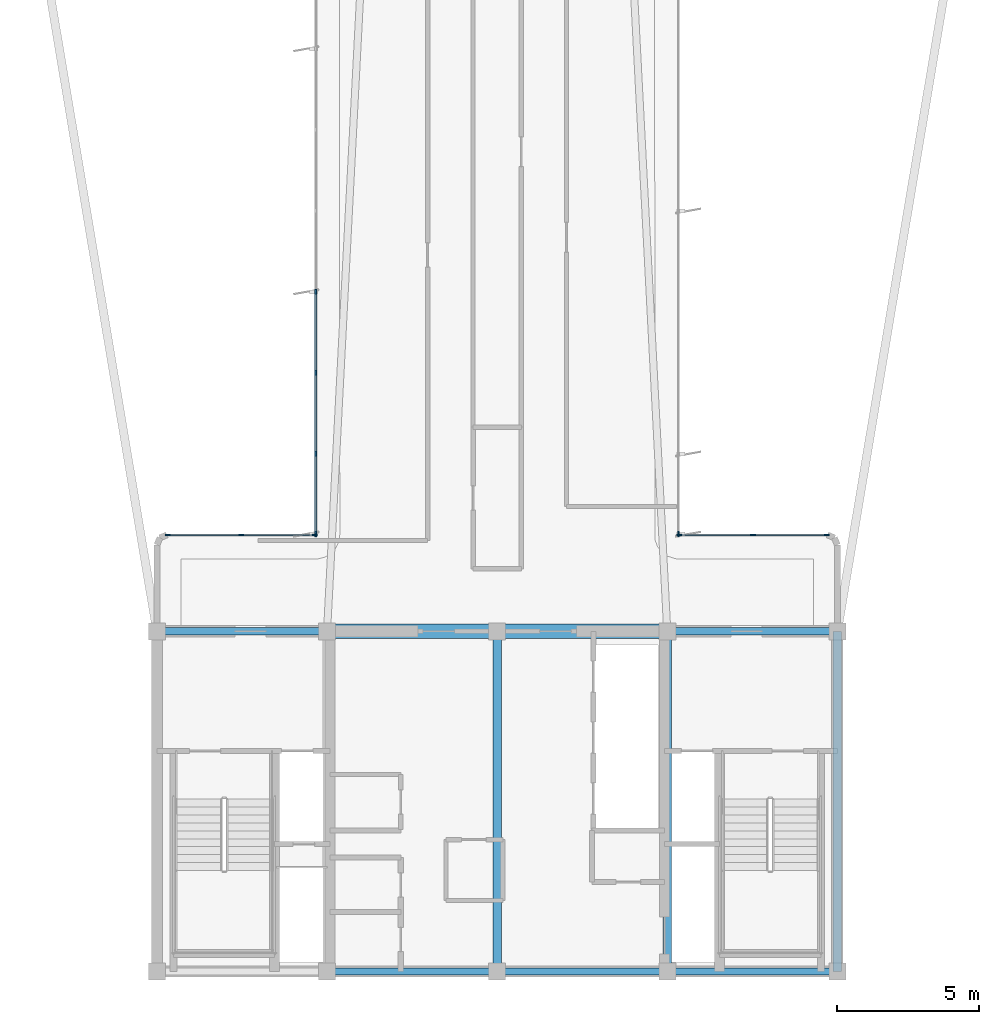
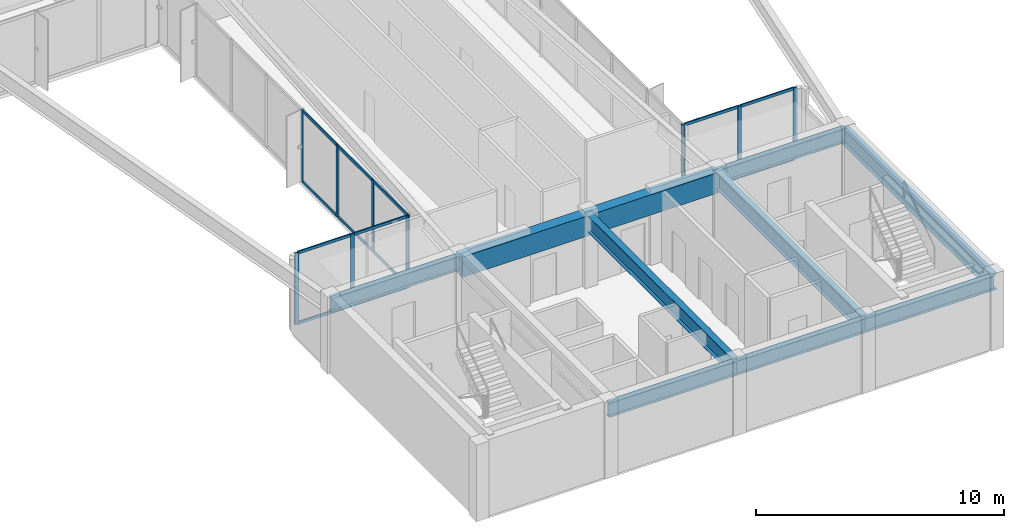
# One storey, part 2 of 15: 25 members, 9 beams, 4 elements without a shape of their own.
"""IFC4 building model written with IfcOpenShell, lengths in metres."""

import ifcopenshell
import ifcopenshell.guid

model = None  # the IFC model being written
_history = None  # IfcOwnerHistory: only IFC2X3 demands one
_inside = {}  # id of a spatial element -> (the spatial element, [elements in it])
_under = {}  # id of a project, library or spatial element -> (it, [spatial elements below it])
_declared = {}  # id of a project -> (the project, [libraries it declares])
_typed = {}  # id of a type object -> (the type object, [elements of that type])
_made_of = {}  # id of a material, layer set ... -> (it, [elements and type objects made of it])


def new_model(schema):
    """Start an empty IFC model of exactly this schema.

    Asked for "IFC4X3", IfcOpenShell would pick the latest addendum, in which some entities
    have other attributes; the version numbers below select the first issue.
    IFC2X3 requires an IfcOwnerHistory on every rooted entity: one is made here for all.
    """
    global model, _history
    if schema == "IFC4X3":
        model = ifcopenshell.file(schema_version=(4, 3, 0, 0))
    else:
        model = ifcopenshell.file(schema=schema)
    _inside.clear()
    _under.clear()
    _declared.clear()
    _typed.clear()
    _made_of.clear()
    _history = None
    if model.schema == "IFC2X3":
        org = make("IfcOrganization", Name="unknown")
        user = make(
            "IfcPersonAndOrganization",
            ThePerson=make("IfcPerson", FamilyName="unknown"),
            TheOrganization=org,
        )
        app = make(
            "IfcApplication",
            ApplicationDeveloper=org,
            Version="unknown",
            ApplicationFullName="unknown",
            ApplicationIdentifier="unknown",
        )
        _history = make(
            "IfcOwnerHistory",
            OwningUser=user,
            OwningApplication=app,
            ChangeAction="ADDED",
            CreationDate=0,
        )
    return model


def make(cls, **values):
    """One entity of the class cls with the attributes given. An attribute that is None is left unset."""
    return model.create_entity(
        cls, **{name: value for name, value in values.items() if value is not None}
    )


def rooted(cls, **values):
    """An entity with a GlobalId (a new one), such as an element, a storey or a relation."""
    return make(cls, GlobalId=ifcopenshell.guid.new(), OwnerHistory=_history, **values)


def si_unit(unit_type, name, prefix=None):
    """IfcSIUnit, for example si_unit("LENGTHUNIT", "METRE", prefix="MILLI")."""
    return make("IfcSIUnit", UnitType=unit_type, Prefix=prefix, Name=name)


def assignment(units):
    """IfcUnitAssignment: the units of a project."""
    return None if units is None else make("IfcUnitAssignment", Units=units)


def point(xyz):
    """IfcCartesianPoint."""
    return None if xyz is None else make("IfcCartesianPoint", Coordinates=xyz)


def direction(xyz):
    """IfcDirection."""
    return None if xyz is None else make("IfcDirection", DirectionRatios=xyz)


def frame(location, z_axis=None, x_axis=None):
    """IfcAxis2Placement3D, a coordinate frame: its origin and axes. An axis left out is left unset."""
    return make(
        "IfcAxis2Placement3D",
        Location=point(location),
        Axis=direction(z_axis),
        RefDirection=direction(x_axis),
    )


def frame_2d(location, x_axis=None):
    """IfcAxis2Placement2D, a coordinate frame in the plane: its origin and x axis."""
    return make(
        "IfcAxis2Placement2D", Location=point(location), RefDirection=direction(x_axis)
    )


def origin():
    """The frame at (0, 0, 0) with its axes left unset."""
    return frame((0.0, 0.0, 0.0))


def origin_2d():
    """The frame at (0, 0) in the plane with its x axis left unset."""
    return frame_2d((0.0, 0.0))


def place(relative_to, where):
    """IfcLocalPlacement: puts the frame where relative to a parent placement (None: the world)."""
    return make(
        "IfcLocalPlacement", PlacementRelTo=relative_to, RelativePlacement=where
    )


def context(
    kind, dimensions, precision=None, world=None, true_north=None, identifier=None
):
    """IfcGeometricRepresentationContext, for example the 3D "Model" context."""
    return make(
        "IfcGeometricRepresentationContext",
        ContextIdentifier=identifier,
        ContextType=kind,
        CoordinateSpaceDimension=dimensions,
        Precision=precision,
        WorldCoordinateSystem=world,
        TrueNorth=true_north,
    )


def subcontext(parent, identifier, kind, view, scale=None):
    """IfcGeometricRepresentationSubContext, for example "Body" below "Model"."""
    return make(
        "IfcGeometricRepresentationSubContext",
        ContextIdentifier=identifier,
        ContextType=kind,
        ParentContext=parent,
        TargetScale=scale,
        TargetView=view,
    )


def project(units=None, contexts=None):
    """IfcProject with its units and contexts."""
    return rooted(
        "IfcProject",
        Name="project",
        RepresentationContexts=contexts,
        UnitsInContext=assignment(units),
    )


def spatial(cls, under=None, at=None, **own):
    """A site, building, storey or space (cls), placed at a placement, below another one or the project."""
    s = rooted(cls, ObjectPlacement=at, **own)
    if under is not None:
        _under.setdefault(under.id(), (under, []))[1].append(s)
    return s


def profile(cls, at=None, kind="AREA", **sizes):
    """A parametric profile (cls). Its sizes go by their IFC names, for example OverallWidth=200.0."""
    return make(cls, ProfileType=kind, Position=at, **sizes)


def rectangle(**sizes):
    """IfcRectangleProfileDef."""
    return profile("IfcRectangleProfileDef", **sizes)


def i_section(**sizes):
    """IfcIShapeProfileDef."""
    return profile("IfcIShapeProfileDef", **sizes)


def extrude(swept, where, along, depth):
    """IfcExtrudedAreaSolid: the profile swept, set in the frame where, extruded along a direction by depth."""
    return make(
        "IfcExtrudedAreaSolid",
        SweptArea=swept,
        Position=where,
        ExtrudedDirection=direction(along),
        Depth=depth,
    )


def shape(context_of_items, identifier, shape_type, items):
    """IfcShapeRepresentation: the items that make up one representation, for example the "Body"."""
    return make(
        "IfcShapeRepresentation",
        ContextOfItems=context_of_items,
        RepresentationIdentifier=identifier,
        RepresentationType=shape_type,
        Items=items,
    )


def source(mapping_origin, context_of_items, identifier, shape_type, items):
    """IfcRepresentationMap: a shape defined once, which mapped items show again and again."""
    return make(
        "IfcRepresentationMap",
        MappingOrigin=mapping_origin,
        MappedRepresentation=shape(context_of_items, identifier, shape_type, items),
    )


def transform(
    local_origin,
    x_axis=None,
    y_axis=None,
    z_axis=None,
    scale=None,
    scale2=None,
    scale3=None,
    uniform=True,
):
    """IfcCartesianTransformationOperator3D, or its non-uniform kind. x_axis, y_axis, z_axis: its Axis1, 2, 3."""
    if uniform:
        return make(
            "IfcCartesianTransformationOperator3D",
            Axis1=direction(x_axis),
            Axis2=direction(y_axis),
            LocalOrigin=point(local_origin),
            Scale=scale,
            Axis3=direction(z_axis),
        )
    return make(
        "IfcCartesianTransformationOperator3DnonUniform",
        Axis1=direction(x_axis),
        Axis2=direction(y_axis),
        LocalOrigin=point(local_origin),
        Scale=scale,
        Axis3=direction(z_axis),
        Scale2=scale2,
        Scale3=scale3,
    )


def mapped(mapping_source, mapping_target):
    """IfcMappedItem: shows the shape of a source again, moved by a transform."""
    return make(
        "IfcMappedItem", MappingSource=mapping_source, MappingTarget=mapping_target
    )


def material(Name=None, Category=None):
    """IfcMaterial."""
    return make("IfcMaterial", Name=Name, Category=Category)


def layer(
    of_material, thickness, ventilated=None, Name=None, Category=None, Priority=None
):
    """IfcMaterialLayer: one layer of a wall or slab, of a material (None: an air gap)."""
    return make(
        "IfcMaterialLayer",
        Material=of_material,
        LayerThickness=thickness,
        IsVentilated=ventilated,
        Name=Name,
        Category=Category,
        Priority=Priority,
    )


def layer_set(layers, Name=None):
    """IfcMaterialLayerSet."""
    return make("IfcMaterialLayerSet", MaterialLayers=layers, LayerSetName=Name)


def material_profile(
    of_material, cross_section, Name=None, Category=None, Priority=None
):
    """IfcMaterialProfile: a cross section and its material."""
    return make(
        "IfcMaterialProfile",
        Name=Name,
        Material=of_material,
        Profile=cross_section,
        Priority=Priority,
        Category=Category,
    )


def profile_set(profiles, Name=None, composite=None):
    """IfcMaterialProfileSet."""
    return make(
        "IfcMaterialProfileSet",
        Name=Name,
        MaterialProfiles=profiles,
        CompositeProfile=composite,
    )


def made_of(thing, what):
    """Note that an element or type object is made of a material, layer set ...; save() writes the relation."""
    if what is not None:
        _made_of.setdefault(what.id(), (what, []))[1].append(thing)
    return thing


def type_object(cls, material=None, **own):
    """A type object (cls), such as IfcWallType, which elements share."""
    return made_of(rooted(cls, **own), material)


def element(
    cls,
    number,
    at=None,
    inside=None,
    cuts=None,
    type_object=None,
    material=None,
    context=None,
    identifier="Body",
    shape_type=None,
    held_by="IfcProductDefinitionShape",
    body=None,
    shapes=None,
    **own,
):
    """One element of the class cls, such as IfcWall. Its Tag is "e" and its number.

    at: its placement. inside: the storey or other place that contains it. cuts: it is an
    opening in that element (IfcRelVoidsElement). A single representation is given by context,
    identifier, shape_type and body (its items); several are given by shapes. held_by: the class
    of the entity that holds the representations. save() writes the other relations.
    """
    e = rooted(cls, Tag="e%d" % number, ObjectPlacement=at, **own)
    if body is not None:
        shapes = [shape(context, identifier, shape_type, body)]
    if shapes is not None:
        e.Representation = make(held_by, Representations=shapes)
    if inside is not None:
        _inside.setdefault(inside.id(), (inside, []))[1].append(e)
    if cuts is not None:
        rooted(
            "IfcRelVoidsElement", RelatingBuildingElement=cuts, RelatedOpeningElement=e
        )
    if type_object is not None:
        _typed.setdefault(type_object.id(), (type_object, []))[1].append(e)
    return made_of(e, material)


def aggregate(whole, parts):
    """IfcRelAggregates: a whole, such as a stair, and the parts it consists of."""
    return rooted("IfcRelAggregates", RelatingObject=whole, RelatedObjects=parts)


def save(model, path):
    """Write the relations noted so far, then the file.

    IfcRelAggregates (storeys below a building ...), IfcRelContainedInSpatialStructure (elements
    in a storey), IfcRelDefinesByType, IfcRelAssociatesMaterial and IfcRelDeclares: one each for
    every whole, place, type object, material and project.
    """
    for whole, parts in _under.values():
        aggregate(whole, parts)
    for where, things in _inside.values():
        rooted(
            "IfcRelContainedInSpatialStructure",
            RelatedElements=things,
            RelatingStructure=where,
        )
    for kind, things in _typed.values():
        rooted("IfcRelDefinesByType", RelatedObjects=things, RelatingType=kind)
    for what, things in _made_of.values():
        rooted("IfcRelAssociatesMaterial", RelatedObjects=things, RelatingMaterial=what)
    for by, libraries in _declared.values():
        rooted("IfcRelDeclares", RelatingContext=by, RelatedDefinitions=libraries)
    model.write(path)


model = new_model("IFC4")

# Units and contexts
model_context = context("Model", 3, precision=1e-05, world=origin(), true_north=direction((0.0, 1.0)))
body_context = subcontext(model_context, "Body", "Model", "MODEL_VIEW")
ifc_project = project(units=[si_unit("LENGTHUNIT", "METRE"), si_unit("AREAUNIT", "SQUARE_METRE"), si_unit("VOLUMEUNIT", "CUBIC_METRE"), si_unit("PLANEANGLEUNIT", "RADIAN"), si_unit("MASSUNIT", "GRAM", prefix="KILO")], contexts=[model_context])

# Site, building, storey
site_placement = place(None, origin())
site = spatial("IfcSite", under=ifc_project, at=site_placement, CompositionType="ELEMENT")
building_placement = place(site_placement, origin())
building = spatial("IfcBuilding", under=site, at=building_placement, Name="Brelvock Crest Care Tower", CompositionType="ELEMENT")
storey_placement = place(building_placement, frame((0.0, 0.0, 264.60009765625)))
storey = spatial("IfcBuildingStorey", under=building, at=storey_placement, Name="L67", CompositionType="ELEMENT", Elevation=264.60009765625)

# Beams
ifc_material_1 = material(Name="Steel Grade 350", Category="steel")
ifc_material_profile_1 = material_profile(ifc_material_1, i_section(OverallWidth=0.25, OverallDepth=0.699951171875, WebThickness=0.011962890625, FlangeThickness=0.02001953125, at=origin_2d()), Name="700WB150")
ifc_profile_set_1 = profile_set([ifc_material_profile_1], Name="Steel Grade 350")
beam_type_1 = type_object("IfcBeamType", Name="BM-G4", PredefinedType="BEAM", material=ifc_profile_set_1)
shared_shape_1 = source(origin(), body_context, "Body", "SweptSolid", [
    extrude(i_section(OverallWidth=0.25, OverallDepth=0.699951171875, WebThickness=0.011962890625, FlangeThickness=0.02001953125, at=origin_2d()), origin(), (0.0, 0.0, 1.0), 6.0),
])
for number, where, z_axis, x_axis, name in (
    (1, (24.0, 18.0, 3.179931640625), (1.0, 0.0, 0.0), (0.0, 1.0, 0.0), "BM-COREN-L67-1"),
    (2, (30.0, 6.0, 3.179931640625), (1.0, 0.0, 0.0), (0.0, 1.0, 0.0), "BM-CORES-L67-2"),
    (3, (36.0, 6.0, 3.179931640625), (1.0, 0.0, 0.0), (0.0, 1.0, 0.0), "BM-CORES-L67-3"),
    (4, (42.0, 6.0, 3.179931640625), (1.0, 0.0, 0.0), (0.0, 1.0, 0.0), "BM-CORES-L67-4"),
    (5, (42.0, 18.0, 3.179931640625), (1.0, 0.0, 0.0), (0.0, 1.0, 0.0), "BM-COREN-L67-4"),
):
    element("IfcBeam", number, at=place(storey_placement, frame(where, z_axis=z_axis, x_axis=x_axis)), inside=storey, type_object=beam_type_1, Name=name, PredefinedType="BEAM", context=body_context, shape_type="MappedRepresentation", body=[
        mapped(shared_shape_1, transform((0.0, 0.0, 0.0), x_axis=(1.0, 0.0, 0.0), y_axis=(0.0, 1.0, 0.0), z_axis=(0.0, 0.0, 1.0), scale=1.0)),
    ])
ifc_material_profile_2 = material_profile(ifc_material_1, i_section(OverallWidth=0.300048828125, OverallDepth=0.800048828125, WebThickness=0.013916015625, FlangeThickness=0.02197265625, at=origin_2d()), Name="800WB192")
ifc_profile_set_2 = profile_set([ifc_material_profile_2], Name="Steel Grade 350")
beam_type_2 = type_object("IfcBeamType", Name="BM-G5", PredefinedType="BEAM", material=ifc_profile_set_2)
shared_shape_2 = source(origin(), body_context, "Body", "SweptSolid", [
    extrude(i_section(OverallWidth=0.300048828125, OverallDepth=0.800048828125, WebThickness=0.013916015625, FlangeThickness=0.02197265625, at=origin_2d()), origin(), (0.0, 0.0, 1.0), 12.0),
])
for number, where, z_axis, x_axis, name in (
    (6, (36.0, 6.0, 3.1298828125), (0.0, 1.0, 0.0), (-1.0, 0.0, 0.0), "BM-COREX-L67-3"),
    (7, (42.0, 6.0, 3.1298828125), (0.0, 1.0, 0.0), (-1.0, 0.0, 0.0), "BM-COREX-L67-4"),
    (8, (48.0, 6.0, 3.1298828125), (0.0, 1.0, 0.0), (-1.0, 0.0, 0.0), "BM-COREX-L67-5"),
):
    element("IfcBeam", number, at=place(storey_placement, frame(where, z_axis=z_axis, x_axis=x_axis)), inside=storey, type_object=beam_type_2, Name=name, PredefinedType="BEAM", context=body_context, shape_type="MappedRepresentation", body=[
        mapped(shared_shape_2, transform((0.0, 0.0, 0.0), x_axis=(1.0, 0.0, 0.0), y_axis=(0.0, 1.0, 0.0), z_axis=(0.0, 0.0, 1.0), scale=1.0)),
    ])
ifc_material_2 = material(Name="Concrete S65 (65 MPa)", Category="concrete")
ifc_material_profile_3 = material_profile(ifc_material_2, rectangle(XDim=0.5, YDim=1.0, at=origin_2d()), Name="RC500x1000")
ifc_profile_set_3 = profile_set([ifc_material_profile_3], Name="Concrete S65 (65 MPa)")
beam_type_3 = type_object("IfcBeamType", Name="BM-LN2", PredefinedType="LINTEL", material=ifc_profile_set_3)
shared_shape_3 = source(origin(), body_context, "Body", "SweptSolid", [
    extrude(rectangle(XDim=0.5, YDim=1.0, at=origin_2d()), origin(), (0.0, 0.0, 1.0), 12.0),
])
beam_placement = place(storey_placement, frame((30.0, 18.0, 3.02978515625), z_axis=(1.0, 0.0, 0.0), x_axis=(0.0, 1.0, 0.0)))
element("IfcBeam", 9, at=beam_placement, inside=storey, type_object=beam_type_3, Name="L67 Core Coupling Lintel Beam", PredefinedType="LINTEL", context=body_context, shape_type="MappedRepresentation", body=[
    mapped(shared_shape_3, transform((0.0, 0.0, 0.0), x_axis=(1.0, 0.0, 0.0), y_axis=(0.0, 1.0, 0.0), z_axis=(0.0, 0.0, 1.0), scale=1.0)),
])

# Curtain wall, members
ifc_material_3 = material(Name="Dark Glass Double Glazed Low-E", Category="glass")
ifc_layer = layer(ifc_material_3, 0.239990234375, Name="CWS-5")
ifc_layer_set = layer_set([ifc_layer], Name="Dark Glass Double Glazed Low-E")
curtain_wall_type = type_object("IfcCurtainWallType", Name="CWS-5", PredefinedType="NOTDEFINED", material=ifc_layer_set)
curtain_wall_1_placement = place(storey_placement, origin())
curtain_wall_1 = element("IfcCurtainWall", 10, at=curtain_wall_1_placement, inside=storey, type_object=curtain_wall_type, Name="L67 Curtain Wall E10", PredefinedType="NOTDEFINED")
ifc_material_4 = material(Name="Aluminium 6063-T6", Category="aluminium")
ifc_material_profile_4 = material_profile(ifc_material_4, rectangle(XDim=0.06005859375, YDim=0.179931640625, at=origin_2d()), Name="ALU60x180")
ifc_profile_set_4 = profile_set([ifc_material_profile_4], Name="Aluminium 6063-T6")
member_type_1 = type_object("IfcMemberType", Name="CWM-2", PredefinedType="MULLION", material=ifc_profile_set_4)
shared_shape_4 = source(origin(), body_context, "Body", "SweptSolid", [
    extrude(rectangle(XDim=0.06005859375, YDim=0.179931640625, at=origin_2d()), origin(), (0.0, 0.0, 1.0), 3.52978515625),
])
member_1_placement = place(storey_placement, frame((24.3798828125, 21.39990234375, 0.0), z_axis=(0.0, 0.0, 1.0), x_axis=(0.0, 1.0, 0.0)))
member_1 = element("IfcMember", 11, at=member_1_placement, type_object=member_type_1, Name="CW-5 mullion 1", PredefinedType="MULLION", context=body_context, shape_type="MappedRepresentation", body=[
    mapped(shared_shape_4, transform((0.0, 0.0, 0.0), x_axis=(1.0, 0.0, 0.0), y_axis=(0.0, 1.0, 0.0), z_axis=(0.0, 0.0, 1.0), scale=1.0)),
])
member_2_placement = place(storey_placement, frame((26.97509765625, 21.39990234375, 0.0), z_axis=(0.0, 0.0, 1.0), x_axis=(0.0, 1.0, 0.0)))
member_2 = element("IfcMember", 12, at=member_2_placement, type_object=member_type_1, Name="CW-5 mullion 2", PredefinedType="MULLION", context=body_context, shape_type="MappedRepresentation", body=[
    mapped(shared_shape_4, transform((0.0, 0.0, 0.0), x_axis=(1.0, 0.0, 0.0), y_axis=(0.0, 1.0, 0.0), z_axis=(0.0, 0.0, 1.0), scale=1.0)),
])
member_3_placement = place(storey_placement, frame((29.570068359375, 21.39990234375, 0.0), z_axis=(0.0, 0.0, 1.0), x_axis=(0.0, 1.0, 0.0)))
member_3 = element("IfcMember", 13, at=member_3_placement, type_object=member_type_1, Name="CW-5 mullion 3", PredefinedType="MULLION", context=body_context, shape_type="MappedRepresentation", body=[
    mapped(shared_shape_4, transform((0.0, 0.0, 0.0), x_axis=(1.0, 0.0, 0.0), y_axis=(0.0, 1.0, 0.0), z_axis=(0.0, 0.0, 1.0), scale=1.0)),
])

curtain_wall_2_placement = place(storey_placement, origin())
curtain_wall_2 = element("IfcCurtainWall", 14, at=curtain_wall_2_placement, inside=storey, type_object=curtain_wall_type, Name="L67 Curtain Wall E11", PredefinedType="NOTDEFINED")
member_4_placement = place(storey_placement, frame((29.60009765625, 21.429931640625, 0.0), z_axis=(0.0, 0.0, 1.0), x_axis=(-1.0, 0.0, 0.0)))
member_4 = element("IfcMember", 15, at=member_4_placement, type_object=member_type_1, Name="CW-5 mullion 1", PredefinedType="MULLION", context=body_context, shape_type="MappedRepresentation", body=[
    mapped(shared_shape_4, transform((0.0, 0.0, 0.0), x_axis=(1.0, 0.0, 0.0), y_axis=(0.0, 1.0, 0.0), z_axis=(0.0, 0.0, 1.0), scale=1.0)),
])
member_5_placement = place(storey_placement, frame((29.60009765625, 24.257080078125, 0.0), z_axis=(0.0, 0.0, 1.0), x_axis=(-1.0, 0.0, 0.0)))
member_5 = element("IfcMember", 16, at=member_5_placement, type_object=member_type_1, Name="CW-5 mullion 2", PredefinedType="MULLION", context=body_context, shape_type="MappedRepresentation", body=[
    mapped(shared_shape_4, transform((0.0, 0.0, 0.0), x_axis=(1.0, 0.0, 0.0), y_axis=(0.0, 1.0, 0.0), z_axis=(0.0, 0.0, 1.0), scale=1.0)),
])
member_6_placement = place(storey_placement, frame((29.60009765625, 27.1142578125, 0.0), z_axis=(0.0, 0.0, 1.0), x_axis=(-1.0, 0.0, 0.0)))
member_6 = element("IfcMember", 17, at=member_6_placement, type_object=member_type_1, Name="CW-5 mullion 3", PredefinedType="MULLION", context=body_context, shape_type="MappedRepresentation", body=[
    mapped(shared_shape_4, transform((0.0, 0.0, 0.0), x_axis=(1.0, 0.0, 0.0), y_axis=(0.0, 1.0, 0.0), z_axis=(0.0, 0.0, 1.0), scale=1.0)),
])
member_7_placement = place(storey_placement, frame((29.60009765625, 29.971435546875, 0.0), z_axis=(0.0, 0.0, 1.0), x_axis=(-1.0, 0.0, 0.0)))
member_7 = element("IfcMember", 18, at=member_7_placement, type_object=member_type_1, Name="CW-5 mullion 4", PredefinedType="MULLION", context=body_context, shape_type="MappedRepresentation", body=[
    mapped(shared_shape_4, transform((0.0, 0.0, 0.0), x_axis=(1.0, 0.0, 0.0), y_axis=(0.0, 1.0, 0.0), z_axis=(0.0, 0.0, 1.0), scale=1.0)),
])

# Curtain wall, member
curtain_wall_3_placement = place(storey_placement, origin())
curtain_wall_3 = element("IfcCurtainWall", 19, at=curtain_wall_3_placement, inside=storey, type_object=curtain_wall_type, Name="L67 Curtain Wall E45", PredefinedType="NOTDEFINED")
member_8_placement = place(storey_placement, frame((42.39990234375, 21.429931640625, 0.0), z_axis=(0.0, 0.0, 1.0), x_axis=(1.0, 0.0, 0.0)))
member_8 = element("IfcMember", 20, at=member_8_placement, type_object=member_type_1, Name="CW-5 mullion 8", PredefinedType="MULLION", context=body_context, shape_type="MappedRepresentation", body=[
    mapped(shared_shape_4, transform((0.0, 0.0, 0.0), x_axis=(1.0, 0.0, 0.0), y_axis=(0.0, 1.0, 0.0), z_axis=(0.0, 0.0, 1.0), scale=1.0)),
])
aggregate(curtain_wall_3, [member_8])

# Curtain wall, members
curtain_wall_4_placement = place(storey_placement, origin())
curtain_wall_4 = element("IfcCurtainWall", 21, at=curtain_wall_4_placement, inside=storey, type_object=curtain_wall_type, Name="L67 Curtain Wall E46", PredefinedType="NOTDEFINED")
member_9_placement = place(storey_placement, frame((42.429931640625, 21.39990234375, 0.0), z_axis=(0.0, 0.0, 1.0), x_axis=(0.0, 1.0, 0.0)))
member_9 = element("IfcMember", 22, at=member_9_placement, type_object=member_type_1, Name="CW-5 mullion 1", PredefinedType="MULLION", context=body_context, shape_type="MappedRepresentation", body=[
    mapped(shared_shape_4, transform((0.0, 0.0, 0.0), x_axis=(1.0, 0.0, 0.0), y_axis=(0.0, 1.0, 0.0), z_axis=(0.0, 0.0, 1.0), scale=1.0)),
])
member_10_placement = place(storey_placement, frame((45.02490234375, 21.39990234375, 0.0), z_axis=(0.0, 0.0, 1.0), x_axis=(0.0, 1.0, 0.0)))
member_10 = element("IfcMember", 23, at=member_10_placement, type_object=member_type_1, Name="CW-5 mullion 2", PredefinedType="MULLION", context=body_context, shape_type="MappedRepresentation", body=[
    mapped(shared_shape_4, transform((0.0, 0.0, 0.0), x_axis=(1.0, 0.0, 0.0), y_axis=(0.0, 1.0, 0.0), z_axis=(0.0, 0.0, 1.0), scale=1.0)),
])
member_11_placement = place(storey_placement, frame((47.6201171875, 21.39990234375, 0.0), z_axis=(0.0, 0.0, 1.0), x_axis=(0.0, 1.0, 0.0)))
member_11 = element("IfcMember", 24, at=member_11_placement, type_object=member_type_1, Name="CW-5 mullion 3", PredefinedType="MULLION", context=body_context, shape_type="MappedRepresentation", body=[
    mapped(shared_shape_4, transform((0.0, 0.0, 0.0), x_axis=(1.0, 0.0, 0.0), y_axis=(0.0, 1.0, 0.0), z_axis=(0.0, 0.0, 1.0), scale=1.0)),
])

# Member
ifc_material_profile_5 = material_profile(ifc_material_4, rectangle(XDim=0.06005859375, YDim=0.139892578125, at=origin_2d()), Name="ALU60x140")
ifc_profile_set_5 = profile_set([ifc_material_profile_5], Name="Aluminium 6063-T6")
member_type_2 = type_object("IfcMemberType", Name="CWT-2", PredefinedType="USERDEFINED", material=ifc_profile_set_5)
shared_shape_5 = source(origin(), body_context, "Body", "SweptSolid", [
    extrude(rectangle(XDim=0.06005859375, YDim=0.139892578125, at=origin_2d()), origin(), (0.0, 0.0, 1.0), 2.53515625),
])
member_12_placement = place(storey_placement, frame((24.409912109375, 21.39990234375, 0.02978515625), z_axis=(1.0, 0.0, 0.0), x_axis=(0.0, 1.0, 0.0)))
member_12 = element("IfcMember", 25, at=member_12_placement, type_object=member_type_2, Name="CW-5 transom 1.1", ObjectType="TRANSOM", PredefinedType="USERDEFINED", context=body_context, shape_type="MappedRepresentation", body=[
    mapped(shared_shape_5, transform((0.0, 0.0, 0.0), x_axis=(1.0, 0.0, 0.0), y_axis=(0.0, 1.0, 0.0), z_axis=(0.0, 0.0, 1.0), scale=1.0)),
])

member_13_placement = place(storey_placement, frame((24.409912109375, 21.39990234375, 3.5), z_axis=(1.0, 0.0, 0.0), x_axis=(0.0, 1.0, 0.0)))
member_13 = element("IfcMember", 26, at=member_13_placement, type_object=member_type_2, Name="CW-5 transom 1.2", ObjectType="TRANSOM", PredefinedType="USERDEFINED", context=body_context, shape_type="MappedRepresentation", body=[
    mapped(shared_shape_5, transform((0.0, 0.0, 0.0), x_axis=(1.0, 0.0, 0.0), y_axis=(0.0, 1.0, 0.0), z_axis=(0.0, 0.0, 1.0), scale=1.0)),
])

member_14_placement = place(storey_placement, frame((27.0048828125, 21.39990234375, 0.02978515625), z_axis=(1.0, 0.0, 0.0), x_axis=(0.0, 1.0, 0.0)))
member_14 = element("IfcMember", 27, at=member_14_placement, type_object=member_type_2, Name="CW-5 transom 2.1", ObjectType="TRANSOM", PredefinedType="USERDEFINED", context=body_context, shape_type="MappedRepresentation", body=[
    mapped(shared_shape_5, transform((0.0, 0.0, 0.0), x_axis=(1.0, 0.0, 0.0), y_axis=(0.0, 1.0, 0.0), z_axis=(0.0, 0.0, 1.0), scale=1.0)),
])

member_15_placement = place(storey_placement, frame((27.0048828125, 21.39990234375, 3.5), z_axis=(1.0, 0.0, 0.0), x_axis=(0.0, 1.0, 0.0)))
member_15 = element("IfcMember", 28, at=member_15_placement, type_object=member_type_2, Name="CW-5 transom 2.2", ObjectType="TRANSOM", PredefinedType="USERDEFINED", context=body_context, shape_type="MappedRepresentation", body=[
    mapped(shared_shape_5, transform((0.0, 0.0, 0.0), x_axis=(1.0, 0.0, 0.0), y_axis=(0.0, 1.0, 0.0), z_axis=(0.0, 0.0, 1.0), scale=1.0)),
])

aggregate(curtain_wall_1, [member_1, member_2, member_3, member_12, member_13, member_14, member_15])

member_16_placement = place(storey_placement, frame((42.4599609375, 21.39990234375, 0.02978515625), z_axis=(1.0, 0.0, 0.0), x_axis=(0.0, 1.0, 0.0)))
member_16 = element("IfcMember", 29, at=member_16_placement, type_object=member_type_2, Name="CW-5 transom 1.1", ObjectType="TRANSOM", PredefinedType="USERDEFINED", context=body_context, shape_type="MappedRepresentation", body=[
    mapped(shared_shape_5, transform((0.0, 0.0, 0.0), x_axis=(1.0, 0.0, 0.0), y_axis=(0.0, 1.0, 0.0), z_axis=(0.0, 0.0, 1.0), scale=1.0)),
])

member_17_placement = place(storey_placement, frame((42.4599609375, 21.39990234375, 3.5), z_axis=(1.0, 0.0, 0.0), x_axis=(0.0, 1.0, 0.0)))
member_17 = element("IfcMember", 30, at=member_17_placement, type_object=member_type_2, Name="CW-5 transom 1.2", ObjectType="TRANSOM", PredefinedType="USERDEFINED", context=body_context, shape_type="MappedRepresentation", body=[
    mapped(shared_shape_5, transform((0.0, 0.0, 0.0), x_axis=(1.0, 0.0, 0.0), y_axis=(0.0, 1.0, 0.0), z_axis=(0.0, 0.0, 1.0), scale=1.0)),
])

member_18_placement = place(storey_placement, frame((45.054931640625, 21.39990234375, 0.02978515625), z_axis=(1.0, 0.0, 0.0), x_axis=(0.0, 1.0, 0.0)))
member_18 = element("IfcMember", 31, at=member_18_placement, type_object=member_type_2, Name="CW-5 transom 2.1", ObjectType="TRANSOM", PredefinedType="USERDEFINED", context=body_context, shape_type="MappedRepresentation", body=[
    mapped(shared_shape_5, transform((0.0, 0.0, 0.0), x_axis=(1.0, 0.0, 0.0), y_axis=(0.0, 1.0, 0.0), z_axis=(0.0, 0.0, 1.0), scale=1.0)),
])

member_19_placement = place(storey_placement, frame((45.054931640625, 21.39990234375, 3.5), z_axis=(1.0, 0.0, 0.0), x_axis=(0.0, 1.0, 0.0)))
member_19 = element("IfcMember", 32, at=member_19_placement, type_object=member_type_2, Name="CW-5 transom 2.2", ObjectType="TRANSOM", PredefinedType="USERDEFINED", context=body_context, shape_type="MappedRepresentation", body=[
    mapped(shared_shape_5, transform((0.0, 0.0, 0.0), x_axis=(1.0, 0.0, 0.0), y_axis=(0.0, 1.0, 0.0), z_axis=(0.0, 0.0, 1.0), scale=1.0)),
])

aggregate(curtain_wall_4, [member_9, member_10, member_11, member_16, member_17, member_18, member_19])

shared_shape_6 = source(origin(), body_context, "Body", "SweptSolid", [
    extrude(rectangle(XDim=0.06005859375, YDim=0.139892578125, at=origin_2d()), origin(), (0.0, 0.0, 1.0), 2.76708984375),
])
member_20_placement = place(storey_placement, frame((29.60009765625, 21.4599609375, 0.02978515625), z_axis=(0.0, 1.0, 0.0), x_axis=(-1.0, 0.0, 0.0)))
member_20 = element("IfcMember", 33, at=member_20_placement, type_object=member_type_2, Name="CW-5 transom 1.1", ObjectType="TRANSOM", PredefinedType="USERDEFINED", context=body_context, shape_type="MappedRepresentation", body=[
    mapped(shared_shape_6, transform((0.0, 0.0, 0.0), x_axis=(1.0, 0.0, 0.0), y_axis=(0.0, 1.0, 0.0), z_axis=(0.0, 0.0, 1.0), scale=1.0)),
])

member_21_placement = place(storey_placement, frame((29.60009765625, 21.4599609375, 3.5), z_axis=(0.0, 1.0, 0.0), x_axis=(-1.0, 0.0, 0.0)))
member_21 = element("IfcMember", 34, at=member_21_placement, type_object=member_type_2, Name="CW-5 transom 1.2", ObjectType="TRANSOM", PredefinedType="USERDEFINED", context=body_context, shape_type="MappedRepresentation", body=[
    mapped(shared_shape_6, transform((0.0, 0.0, 0.0), x_axis=(1.0, 0.0, 0.0), y_axis=(0.0, 1.0, 0.0), z_axis=(0.0, 0.0, 1.0), scale=1.0)),
])

shared_shape_7 = source(origin(), body_context, "Body", "SweptSolid", [
    extrude(rectangle(XDim=0.06005859375, YDim=0.139892578125, at=origin_2d()), origin(), (0.0, 0.0, 1.0), 2.797119140625),
])
member_22_placement = place(storey_placement, frame((29.60009765625, 24.287109375, 0.02978515625), z_axis=(0.0, 1.0, 0.0), x_axis=(-1.0, 0.0, 0.0)))
member_22 = element("IfcMember", 35, at=member_22_placement, type_object=member_type_2, Name="CW-5 transom 2.1", ObjectType="TRANSOM", PredefinedType="USERDEFINED", context=body_context, shape_type="MappedRepresentation", body=[
    mapped(shared_shape_7, transform((0.0, 0.0, 0.0), x_axis=(1.0, 0.0, 0.0), y_axis=(0.0, 1.0, 0.0), z_axis=(0.0, 0.0, 1.0), scale=1.0)),
])

member_23_placement = place(storey_placement, frame((29.60009765625, 24.287109375, 3.5), z_axis=(0.0, 1.0, 0.0), x_axis=(-1.0, 0.0, 0.0)))
member_23 = element("IfcMember", 36, at=member_23_placement, type_object=member_type_2, Name="CW-5 transom 2.2", ObjectType="TRANSOM", PredefinedType="USERDEFINED", context=body_context, shape_type="MappedRepresentation", body=[
    mapped(shared_shape_7, transform((0.0, 0.0, 0.0), x_axis=(1.0, 0.0, 0.0), y_axis=(0.0, 1.0, 0.0), z_axis=(0.0, 0.0, 1.0), scale=1.0)),
])

member_24_placement = place(storey_placement, frame((29.60009765625, 27.144287109375, 0.02978515625), z_axis=(0.0, 1.0, 0.0), x_axis=(-1.0, 0.0, 0.0)))
member_24 = element("IfcMember", 37, at=member_24_placement, type_object=member_type_2, Name="CW-5 transom 3.1", ObjectType="TRANSOM", PredefinedType="USERDEFINED", context=body_context, shape_type="MappedRepresentation", body=[
    mapped(shared_shape_7, transform((0.0, 0.0, 0.0), x_axis=(1.0, 0.0, 0.0), y_axis=(0.0, 1.0, 0.0), z_axis=(0.0, 0.0, 1.0), scale=1.0)),
])

member_25_placement = place(storey_placement, frame((29.60009765625, 27.144287109375, 3.5), z_axis=(0.0, 1.0, 0.0), x_axis=(-1.0, 0.0, 0.0)))
member_25 = element("IfcMember", 38, at=member_25_placement, type_object=member_type_2, Name="CW-5 transom 3.2", ObjectType="TRANSOM", PredefinedType="USERDEFINED", context=body_context, shape_type="MappedRepresentation", body=[
    mapped(shared_shape_7, transform((0.0, 0.0, 0.0), x_axis=(1.0, 0.0, 0.0), y_axis=(0.0, 1.0, 0.0), z_axis=(0.0, 0.0, 1.0), scale=1.0)),
])

aggregate(curtain_wall_2, [member_4, member_5, member_6, member_7, member_20, member_21, member_22, member_23, member_24, member_25])

save(model, "model.ifc")
